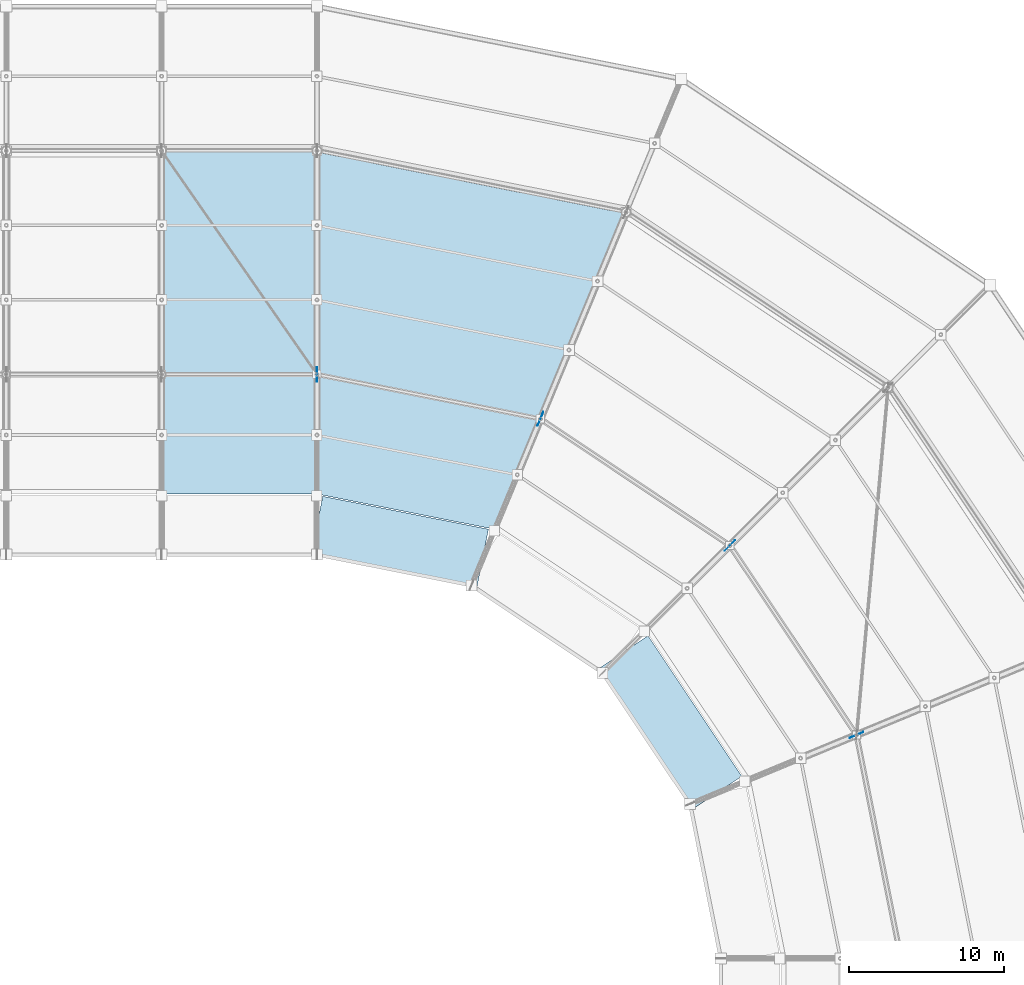
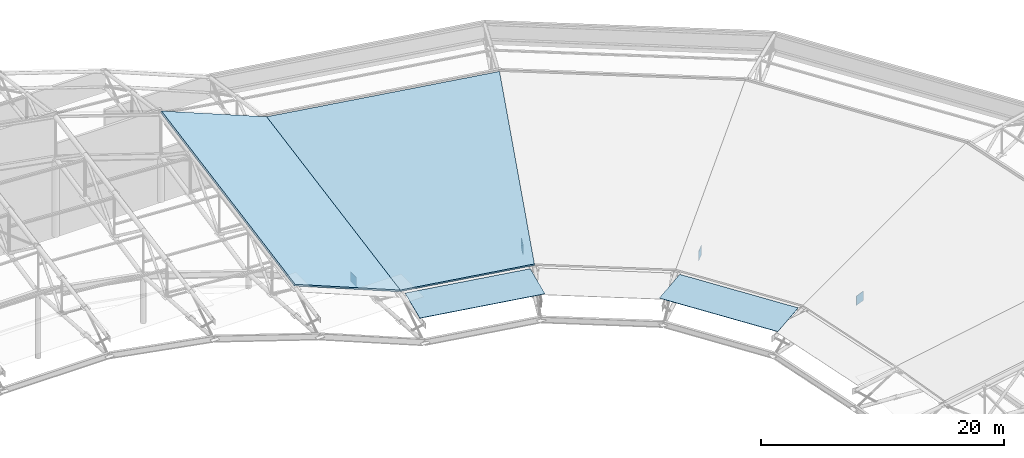
# One storey, part 117 of 146: 6 plates, 2 slabs.
"""IFC4 building model written with IfcOpenShell, lengths in metres."""

from ifc_helpers import new_model, si_unit, direction, frame, origin, origin_2d, place, context, subcontext, project, spatial, polyline, rectangle, outline, extrude, material, layer, layer_set, type_object, element, save


model = new_model("IFC4")

# Units and contexts
model_context = context("Model", 3, precision=1e-05, world=origin(), true_north=direction((0.0, 1.0)))
body_context = subcontext(model_context, "Body", "Model", "MODEL_VIEW")
ifc_project = project(units=[si_unit("LENGTHUNIT", "METRE"), si_unit("AREAUNIT", "SQUARE_METRE"), si_unit("VOLUMEUNIT", "CUBIC_METRE"), si_unit("PLANEANGLEUNIT", "RADIAN"), si_unit("MASSUNIT", "GRAM", prefix="KILO")], contexts=[model_context])

# Site, building, storey
site_placement = place(None, origin())
site = spatial("IfcSite", under=ifc_project, at=site_placement, CompositionType="ELEMENT")
building_placement = place(site_placement, origin())
building = spatial("IfcBuilding", under=site, at=building_placement, Name="Candeia Ridge Stadium", CompositionType="ELEMENT")
storey_placement = place(building_placement, frame((0.0, 0.0, 31.800048828125)))
storey = spatial("IfcBuildingStorey", under=building, at=storey_placement, Name="RF", CompositionType="ELEMENT", Elevation=31.800048828125)

# Plates
ifc_material_1 = material(Name="Polycarbonate Multiwall Glazing", Category="glass")
ifc_layer_1 = layer(ifc_material_1, 0.034912109375, Name="Polycarbonate Multiwall Glazing", Category="glass")
ifc_layer_set_1 = layer_set([ifc_layer_1], Name="Polycarbonate Multiwall Glazing")
plate_type_1 = type_object("IfcPlateType", Name="Inner Roof Polycarbonate Daylight Panel DP2", PredefinedType="SHEET", material=ifc_layer_set_1)
for number, where, z_axis, x_axis, name in (
    (1, (163.752197265625, 110.20263671875, 0.52392578125), (0.0, 0.0, 1.0), (-0.555570267906, 0.831469588992, 0.0), "Inner roof polycarbonate daylight ring panel 34"),
    (2, (146.33837890625, 121.838134765625, 0.52392578125), (0.0, 0.0, 1.0), (-0.980785282416, 0.195090311899, 0.0), "Inner roof polycarbonate daylight ring panel 36"),
):
    element("IfcPlate", number, at=place(storey_placement, frame(where, z_axis=z_axis, x_axis=x_axis)), inside=storey, type_object=plate_type_1, Name=name, PredefinedType="SHEET", context=body_context, shape_type="SweptSolid", body=[
        extrude(rectangle(XDim=10.885986328125, YDim=3.800048828125, at=origin_2d()), origin(), (0.0, 0.0, 1.0), 0.034912109375),
    ])
ifc_material_2 = material(Name="Steel ASTM A572 Grade 50", Category="steel")
ifc_layer_2 = layer(ifc_material_2, 0.031982421875, Name="Steel ASTM A572 Grade 50", Category="steel")
ifc_layer_set_2 = layer_set([ifc_layer_2], Name="Steel ASTM A572 Grade 50")
plate_type_2 = type_object("IfcPlateType", Name="Roof Truss Inner Support Node Gusset ND-1", PredefinedType="USERDEFINED", material=ifc_layer_set_2)
for number, where, z_axis, x_axis, name in (
    (3, (141.0, 132.60009765625, -3.13916015625), (0.0, 0.0, 1.0), (0.0, 1.0, 0.0), "Roof truss inner support node ND-1 bay 01"),
    (4, (175.73779296875, 109.388916015625, -3.13916015625), (0.0, 0.0, 1.0), (0.923879532077, 0.382683433413, 0.0), "Roof truss inner support node ND-1 bay 34"),
    (5, (167.587158203125, 121.587158203125, -3.13916015625), (0.0, 0.0, 1.0), (0.707106781187, 0.707106781187, 0.0), "Roof truss inner support node ND-1 bay 35"),
    (6, (155.388916015625, 129.73779296875, -3.13916015625), (0.0, 0.0, 1.0), (0.382683433413, 0.923879532077, 0.0), "Roof truss inner support node ND-1 bay 36"),
):
    element("IfcPlate", number, at=place(storey_placement, frame(where, z_axis=z_axis, x_axis=x_axis)), inside=storey, type_object=plate_type_2, Name=name, ObjectType="GUSSET PLATE", PredefinedType="USERDEFINED", context=body_context, shape_type="SweptSolid", body=[
        extrude(rectangle(XDim=0.949951171875, YDim=0.031982421875, at=origin_2d()), origin(), (0.0, 0.0, 1.0), 0.949951171875),
    ])

# Slabs
ifc_layer_3 = layer(ifc_material_2, 0.179931640625, Name="Steel ASTM A572 Grade 50", Category="steel")
ifc_layer_set_3 = layer_set([ifc_layer_3], Name="Steel ASTM A572 Grade 50")
slab_type = type_object("IfcSlabType", Name="Saddle Roof Structural Deck 180", PredefinedType="ROOF", material=ifc_layer_set_3)
slab_1_placement = place(storey_placement, frame((141.0, 124.89990234375, 0.911865234375), z_axis=(0.372196349749, -0.168854327054, 0.912665378695), x_axis=(-0.925961239527, 0.0, 0.377618567994)))
element("IfcSlab", 7, at=slab_1_placement, inside=storey, type_object=slab_type, Name="Stadium saddle roof main deck bay 01", PredefinedType="ROOF", context=body_context, shape_type="SweptSolid", body=[
    extrude(outline(polyline([(0.0, 0.0), (10.799588117869359, 0.0), (12.337996575907406, -22.340810833331464), (1.5384084580380482, -22.340810833331467), (0.0, 0.0)])), origin(), (0.0, 0.0, -1.0), 0.179931640625),
])
slab_2_placement = place(storey_placement, frame((152.44189453125, 122.6240234375, 0.911865234375), z_axis=(-0.036153116313, -0.181763338981, 0.98267748564), x_axis=(-0.980786224132, 0.19508557751, 9.43866e-07)))
element("IfcSlab", 8, at=slab_2_placement, inside=storey, type_object=slab_type, Name="Stadium saddle roof main deck bay 36", PredefinedType="ROOF", context=body_context, shape_type="SweptSolid", body=[
    extrude(outline(polyline([(0.0, 0.0), (11.666043684987503, 4.440892098500626e-16), (15.961835756381939, -21.977641905484266), (-4.296263736213774, -21.977804497045955), (0.0, 0.0)])), origin(), (0.0, 0.0, -1.0), 0.179931640625),
])

save(model, "model.ifc")
